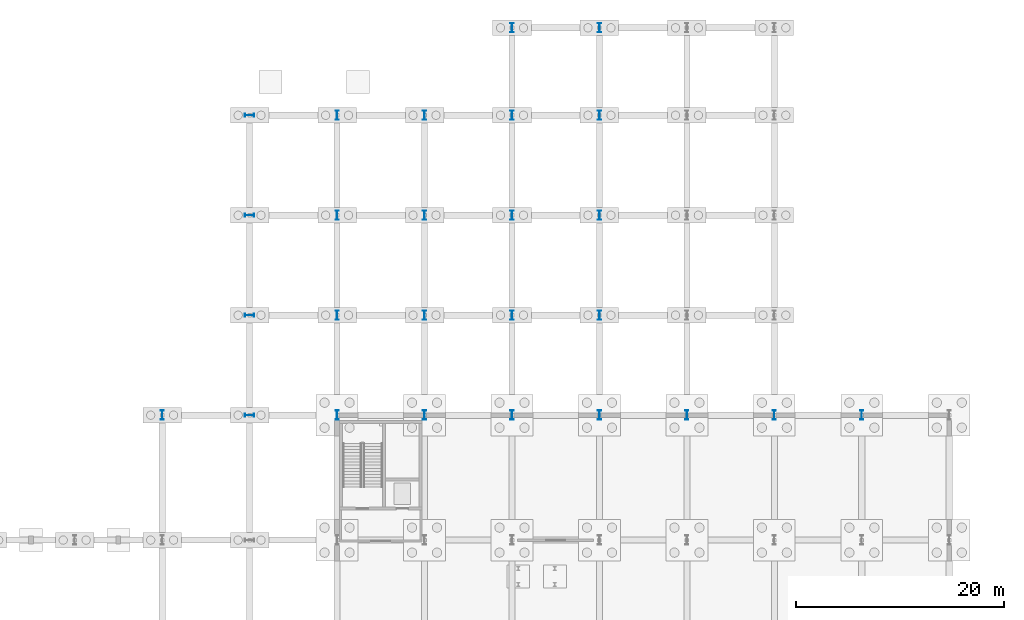
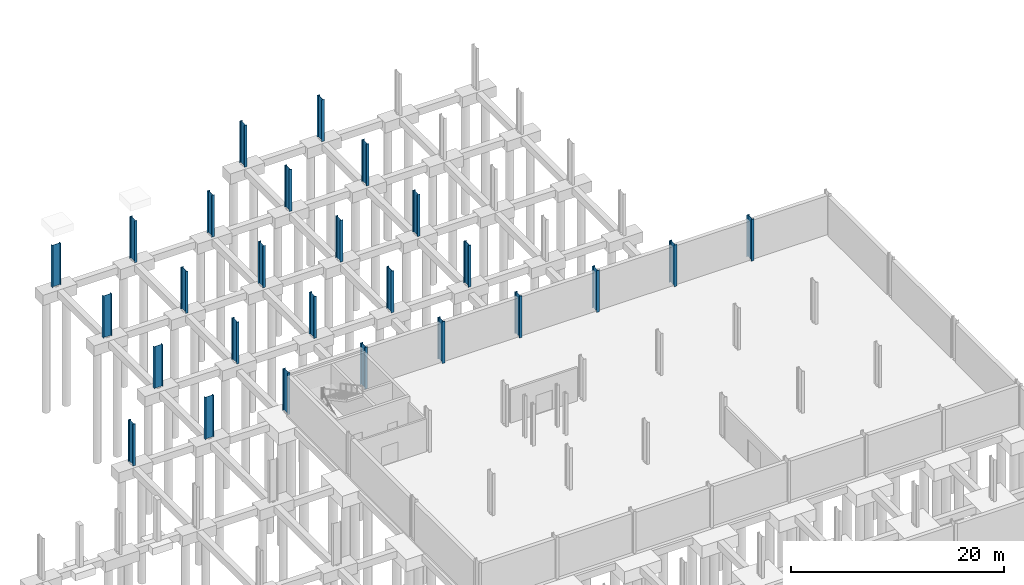
# One storey, part 12 of 29: 26 columns.
"""IFC4 building model written with IfcOpenShell, lengths in metres."""

from ifc_helpers import new_model, si_unit, direction, frame, origin, origin_2d, place, context, subcontext, project, spatial, i_section, extrude, material, material_profile, profile_set, type_object, element, save


model = new_model("IFC4")

# Units and contexts
model_context = context("Model", 3, precision=1e-05, world=origin(), true_north=direction((0.0, 1.0)))
body_context = subcontext(model_context, "Body", "Model", "MODEL_VIEW")
ifc_project = project(units=[si_unit("LENGTHUNIT", "METRE"), si_unit("AREAUNIT", "SQUARE_METRE"), si_unit("VOLUMEUNIT", "CUBIC_METRE"), si_unit("PLANEANGLEUNIT", "RADIAN"), si_unit("MASSUNIT", "GRAM", prefix="KILO")], contexts=[model_context])

# Site, building, storey
site_placement = place(None, origin())
site = spatial("IfcSite", under=ifc_project, at=site_placement, CompositionType="ELEMENT")
building_placement = place(site_placement, origin())
building = spatial("IfcBuilding", under=site, at=building_placement, Name="Veltarok Museum of Natural Sciences", CompositionType="ELEMENT")
storey_placement = place(building_placement, frame((0.0, 0.0, -4.800048828125)))
storey = spatial("IfcBuildingStorey", under=building, at=storey_placement, Name="B1", CompositionType="ELEMENT", Elevation=-4.800048828125)

# Columns
ifc_material = material(Name="Steel S355J2", Category="steel")
ifc_material_profile = material_profile(ifc_material, i_section(OverallWidth=0.300048828125, OverallDepth=0.89990234375, WebThickness=0.0185546875, FlangeThickness=0.034912109375, FilletRadius=0.030029296875, at=origin_2d()), Name="HEB 900")
ifc_profile_set = profile_set([ifc_material_profile], Name="Steel S355J2")
column_type = type_object("IfcColumnType", Name="Heavy Hall Column HEB 900", PredefinedType="COLUMN", material=ifc_profile_set)
for number, where, z_axis, x_axis, name in (
    (1, (23.199951171875, 72.0, 0.0), (0.0, 0.0, 1.0), (1.0, 0.0, 0.0), "Column COL-S01 B1 3/H"),
    (2, (31.60009765625, 72.0, 0.0), (0.0, 0.0, 1.0), (0.0, 1.0, 0.0), "Column COL-S01 B1 4/H"),
    (3, (31.60009765625, 81.60009765625, 0.0), (0.0, 0.0, 1.0), (0.0, 1.0, 0.0), "Column COL-S01 B1 4/J"),
    (4, (31.60009765625, 91.199951171875, 0.0), (0.0, 0.0, 1.0), (0.0, 1.0, 0.0), "Column COL-S01 B1 4/K"),
    (5, (31.60009765625, 100.800048828125, 0.0), (0.0, 0.0, 1.0), (0.0, 1.0, 0.0), "Column COL-S01 B1 4/L"),
    (6, (40.0, 72.0, 0.0), (0.0, 0.0, 1.0), (1.0, 0.0, 0.0), "Column COL-S01 B1 5/H"),
    (7, (40.0, 81.60009765625, 0.0), (0.0, 0.0, 1.0), (1.0, 0.0, 0.0), "Column COL-S01 B1 5/J"),
    (8, (40.0, 91.199951171875, 0.0), (0.0, 0.0, 1.0), (1.0, 0.0, 0.0), "Column COL-S01 B1 5/K"),
    (9, (40.0, 100.800048828125, 0.0), (0.0, 0.0, 1.0), (1.0, 0.0, 0.0), "Column COL-S01 B1 5/L"),
    (10, (48.39990234375, 72.0, 0.0), (0.0, 0.0, 1.0), (1.0, 0.0, 0.0), "Column COL-S01 B1 6/H"),
    (11, (48.39990234375, 81.60009765625, 0.0), (0.0, 0.0, 1.0), (1.0, 0.0, 0.0), "Column COL-S01 B1 6/J"),
    (12, (48.39990234375, 91.199951171875, 0.0), (0.0, 0.0, 1.0), (1.0, 0.0, 0.0), "Column COL-S01 B1 6/K"),
    (13, (48.39990234375, 100.800048828125, 0.0), (0.0, 0.0, 1.0), (1.0, 0.0, 0.0), "Column COL-S01 B1 6/L"),
    (14, (56.800048828125, 72.0, 0.0), (0.0, 0.0, 1.0), (1.0, 0.0, 0.0), "Column COL-S01 B1 7/H"),
    (15, (56.800048828125, 81.60009765625, 0.0), (0.0, 0.0, 1.0), (1.0, 0.0, 0.0), "Column COL-S01 B1 7/J"),
    (16, (56.800048828125, 91.199951171875, 0.0), (0.0, 0.0, 1.0), (1.0, 0.0, 0.0), "Column COL-S01 B1 7/K"),
    (17, (56.800048828125, 100.800048828125, 0.0), (0.0, 0.0, 1.0), (1.0, 0.0, 0.0), "Column COL-S01 B1 7/L"),
    (18, (56.800048828125, 109.199951171875, 0.0), (0.0, 0.0, 1.0), (1.0, 0.0, 0.0), "Column COL-S01 B1 7/M"),
    (19, (65.199951171875, 72.0, 0.0), (0.0, 0.0, 1.0), (1.0, 0.0, 0.0), "Column COL-S01 B1 8/H"),
    (20, (65.199951171875, 81.60009765625, 0.0), (0.0, 0.0, 1.0), (1.0, 0.0, 0.0), "Column COL-S01 B1 8/J"),
    (21, (65.199951171875, 91.199951171875, 0.0), (0.0, 0.0, 1.0), (1.0, 0.0, 0.0), "Column COL-S01 B1 8/K"),
    (22, (65.199951171875, 100.800048828125, 0.0), (0.0, 0.0, 1.0), (1.0, 0.0, 0.0), "Column COL-S01 B1 8/L"),
    (23, (65.199951171875, 109.199951171875, 0.0), (0.0, 0.0, 1.0), (1.0, 0.0, 0.0), "Column COL-S01 B1 8/M"),
    (24, (73.60009765625, 72.0, 0.0), (0.0, 0.0, 1.0), (1.0, 0.0, 0.0), "Column COL-S01 B1 9/H"),
    (25, (82.0, 72.0, 0.0), (0.0, 0.0, 1.0), (1.0, 0.0, 0.0), "Column COL-S01 B1 10/H"),
    (26, (90.39990234375, 72.0, 0.0), (0.0, 0.0, 1.0), (1.0, 0.0, 0.0), "Column COL-S01 B1 11/H"),
):
    element("IfcColumn", number, at=place(storey_placement, frame(where, z_axis=z_axis, x_axis=x_axis)), inside=storey, type_object=column_type, Name=name, PredefinedType="COLUMN", context=body_context, shape_type="SweptSolid", body=[
        extrude(i_section(OverallWidth=0.300048828125, OverallDepth=0.89990234375, WebThickness=0.0185546875, FlangeThickness=0.034912109375, FilletRadius=0.030029296875, at=origin_2d()), origin(), (0.0, 0.0, 1.0), 4.800048828125),
    ])

save(model, "model.ifc")
